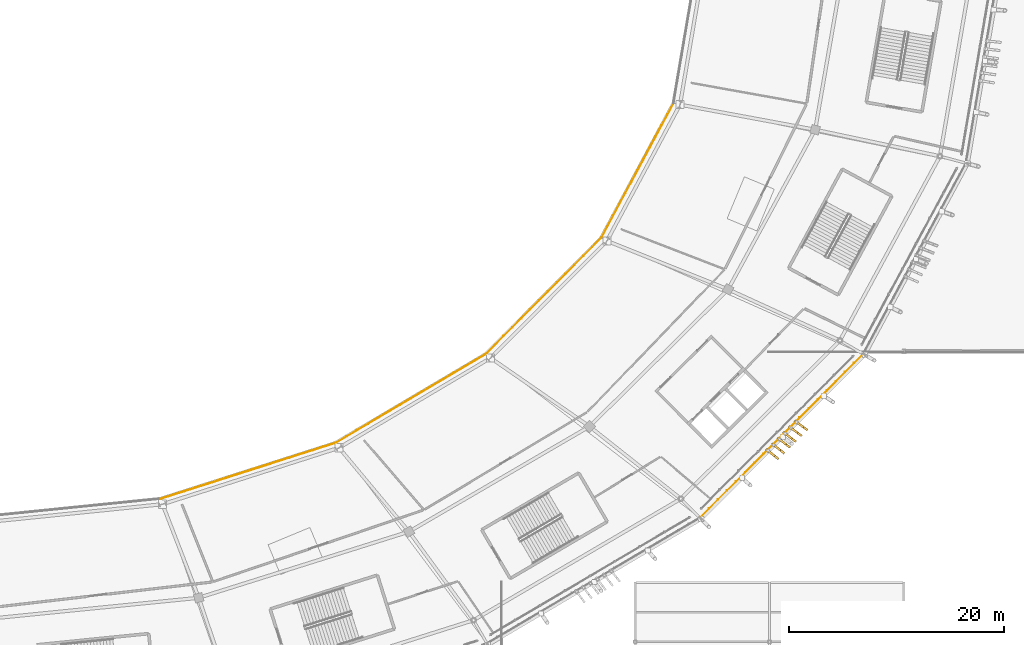
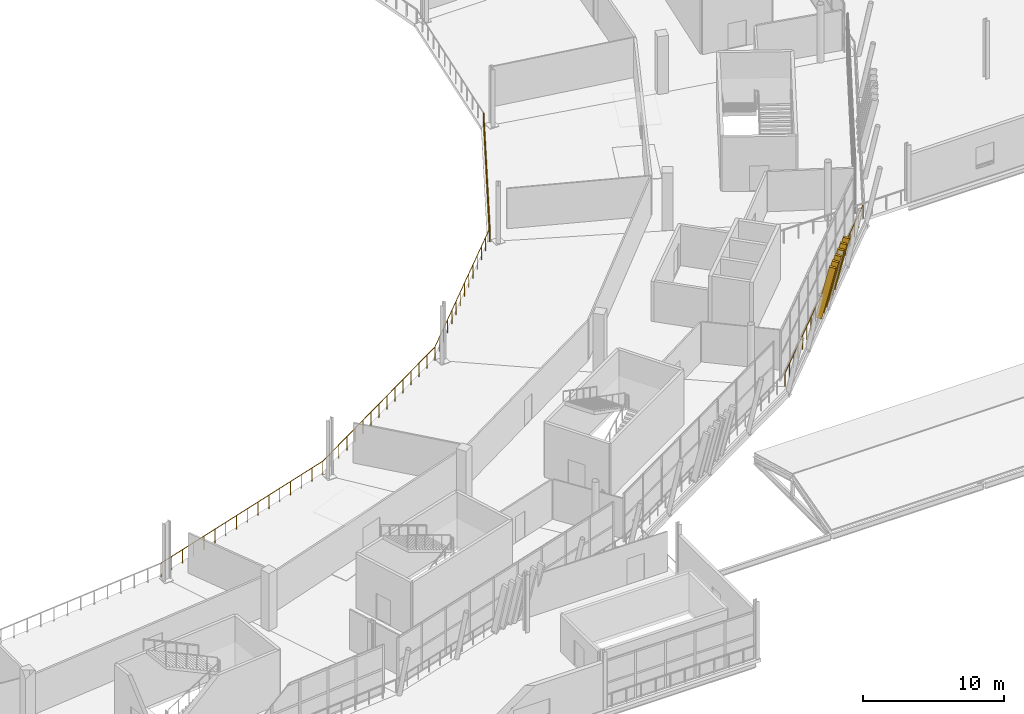
# One storey, part 162 of 179: 6 shading devices, 5 railings.
"""IFC4 building model written with IfcOpenShell, lengths in metres."""

from ifc_helpers import new_model, si_unit, direction, frame, origin, origin_2d, place, context, subcontext, project, spatial, rectangle, extrude, material, material_profile, profile_set, type_object, element, save


model = new_model("IFC4")

# Units and contexts
model_context = context("Model", 3, precision=1e-05, world=origin(), true_north=direction((0.0, 1.0)))
body_context = subcontext(model_context, "Body", "Model", "MODEL_VIEW")
ifc_project = project(units=[si_unit("LENGTHUNIT", "METRE"), si_unit("AREAUNIT", "SQUARE_METRE"), si_unit("VOLUMEUNIT", "CUBIC_METRE"), si_unit("PLANEANGLEUNIT", "RADIAN"), si_unit("MASSUNIT", "GRAM", prefix="KILO")], contexts=[model_context])

# Site, building, storey
site_placement = place(None, origin())
site = spatial("IfcSite", under=ifc_project, at=site_placement, CompositionType="ELEMENT")
building_placement = place(site_placement, origin())
building = spatial("IfcBuilding", under=site, at=building_placement, Name="Zlatoyarsky Gate Stadium", CompositionType="ELEMENT")
storey_placement = place(building_placement, frame((0.0, 0.0, 10.60009765625)))
storey = spatial("IfcBuildingStorey", under=building, at=storey_placement, Name="L02", CompositionType="ELEMENT", Elevation=10.60009765625)

# Railings
ifc_material_1 = material(Name="Powder-coated steel tubular guardrail", Category="steel")
railing_type = type_object("IfcRailingType", Name="CONCOURSE SLAB EDGE GUARDRAIL 1200", PredefinedType="GUARDRAIL", material=ifc_material_1)
railing_1_placement = place(storey_placement, frame((128.439208984375, 29.791259765625, 0.0)))
element("IfcRailing", 1, at=railing_1_placement, inside=storey, type_object=railing_type, Name="L02 inner bowl edge guardrail 19", PredefinedType="GUARDRAIL", context=body_context, shape_type="SweptSolid", body=[
    extrude(rectangle(XDim=0.048095703125, YDim=0.048095703125, at=origin_2d()), frame((0.0, 0.0, 1.17578125), z_axis=(0.952553500174, 0.304371203149, 0.0), x_axis=(-0.304371203149, 0.952553500174, 0.0)), (0.0, 0.0, 1.0), 17.06005859375),
    extrude(rectangle(XDim=0.0419921875, YDim=0.0419921875, at=origin_2d()), origin(), (0.0, 0.0, 1.0), 1.15185546875),
    extrude(rectangle(XDim=0.0419921875, YDim=0.0419921875, at=origin_2d()), frame((1.08349609375, 0.34619140625, 0.0)), (0.0, 0.0, 1.0), 1.15185546875),
    extrude(rectangle(XDim=0.0419921875, YDim=0.0419921875, at=origin_2d()), frame((2.166748046875, 0.6923828125, 0.0)), (0.0, 0.0, 1.0), 1.15185546875),
    extrude(rectangle(XDim=0.0419921875, YDim=0.0419921875, at=origin_2d()), frame((3.250244140625, 1.03857421875, 0.0)), (0.0, 0.0, 1.0), 1.15185546875),
    extrude(rectangle(XDim=0.0419921875, YDim=0.0419921875, at=origin_2d()), frame((4.33349609375, 1.384765625, 0.0)), (0.0, 0.0, 1.0), 1.15185546875),
    extrude(rectangle(XDim=0.0419921875, YDim=0.0419921875, at=origin_2d()), frame((5.4169921875, 1.73095703125, 0.0)), (0.0, 0.0, 1.0), 1.15185546875),
    extrude(rectangle(XDim=0.0419921875, YDim=0.0419921875, at=origin_2d()), frame((6.500244140625, 2.0771484375, 0.0)), (0.0, 0.0, 1.0), 1.15185546875),
    extrude(rectangle(XDim=0.0419921875, YDim=0.0419921875, at=origin_2d()), frame((7.583740234375, 2.42333984375, 0.0)), (0.0, 0.0, 1.0), 1.15185546875),
    extrude(rectangle(XDim=0.0419921875, YDim=0.0419921875, at=origin_2d()), frame((8.6669921875, 2.769287109375, 0.0)), (0.0, 0.0, 1.0), 1.15185546875),
    extrude(rectangle(XDim=0.0419921875, YDim=0.0419921875, at=origin_2d()), frame((9.75048828125, 3.115478515625, 0.0)), (0.0, 0.0, 1.0), 1.15185546875),
    extrude(rectangle(XDim=0.0419921875, YDim=0.0419921875, at=origin_2d()), frame((10.833740234375, 3.461669921875, 0.0)), (0.0, 0.0, 1.0), 1.15185546875),
    extrude(rectangle(XDim=0.0419921875, YDim=0.0419921875, at=origin_2d()), frame((11.917236328125, 3.807861328125, 0.0)), (0.0, 0.0, 1.0), 1.15185546875),
    extrude(rectangle(XDim=0.0419921875, YDim=0.0419921875, at=origin_2d()), frame((13.00048828125, 4.154052734375, 0.0)), (0.0, 0.0, 1.0), 1.15185546875),
    extrude(rectangle(XDim=0.0419921875, YDim=0.0419921875, at=origin_2d()), frame((14.083984375, 4.500244140625, 0.0)), (0.0, 0.0, 1.0), 1.15185546875),
    extrude(rectangle(XDim=0.0419921875, YDim=0.0419921875, at=origin_2d()), frame((15.167236328125, 4.846435546875, 0.0)), (0.0, 0.0, 1.0), 1.15185546875),
    extrude(rectangle(XDim=0.0419921875, YDim=0.0419921875, at=origin_2d()), frame((16.250732421875, 5.192626953125, 0.0)), (0.0, 0.0, 1.0), 1.15185546875),
])
railing_2_placement = place(storey_placement, frame((144.68994140625, 34.98388671875, 0.0)))
element("IfcRailing", 2, at=railing_2_placement, inside=storey, type_object=railing_type, Name="L02 inner bowl edge guardrail 20", PredefinedType="GUARDRAIL", context=body_context, shape_type="SweptSolid", body=[
    extrude(rectangle(XDim=0.048095703125, YDim=0.048095703125, at=origin_2d()), frame((0.0, 0.0, 1.17578125), z_axis=(0.860533047645, 0.509394615118, 0.0), x_axis=(-0.509394615118, 0.860533047645, 0.0)), (0.0, 0.0, 1.0), 16.216796875),
    extrude(rectangle(XDim=0.0419921875, YDim=0.0419921875, at=origin_2d()), origin(), (0.0, 0.0, 1.0), 1.15185546875),
    extrude(rectangle(XDim=0.0419921875, YDim=0.0419921875, at=origin_2d()), frame((0.996826171875, 0.590087890625, 0.0)), (0.0, 0.0, 1.0), 1.15185546875),
    extrude(rectangle(XDim=0.0419921875, YDim=0.0419921875, at=origin_2d()), frame((1.99365234375, 1.18017578125, 0.0)), (0.0, 0.0, 1.0), 1.15185546875),
    extrude(rectangle(XDim=0.0419921875, YDim=0.0419921875, at=origin_2d()), frame((2.990478515625, 1.770263671875, 0.0)), (0.0, 0.0, 1.0), 1.15185546875),
    extrude(rectangle(XDim=0.0419921875, YDim=0.0419921875, at=origin_2d()), frame((3.987060546875, 2.360107421875, 0.0)), (0.0, 0.0, 1.0), 1.15185546875),
    extrude(rectangle(XDim=0.0419921875, YDim=0.0419921875, at=origin_2d()), frame((4.98388671875, 2.9501953125, 0.0)), (0.0, 0.0, 1.0), 1.15185546875),
    extrude(rectangle(XDim=0.0419921875, YDim=0.0419921875, at=origin_2d()), frame((5.980712890625, 3.540283203125, 0.0)), (0.0, 0.0, 1.0), 1.15185546875),
    extrude(rectangle(XDim=0.0419921875, YDim=0.0419921875, at=origin_2d()), frame((6.9775390625, 4.13037109375, 0.0)), (0.0, 0.0, 1.0), 1.15185546875),
    extrude(rectangle(XDim=0.0419921875, YDim=0.0419921875, at=origin_2d()), frame((7.974365234375, 4.720458984375, 0.0)), (0.0, 0.0, 1.0), 1.15185546875),
    extrude(rectangle(XDim=0.0419921875, YDim=0.0419921875, at=origin_2d()), frame((8.97119140625, 5.310546875, 0.0)), (0.0, 0.0, 1.0), 1.15185546875),
    extrude(rectangle(XDim=0.0419921875, YDim=0.0419921875, at=origin_2d()), frame((9.968017578125, 5.900634765625, 0.0)), (0.0, 0.0, 1.0), 1.15185546875),
    extrude(rectangle(XDim=0.0419921875, YDim=0.0419921875, at=origin_2d()), frame((10.964599609375, 6.490478515625, 0.0)), (0.0, 0.0, 1.0), 1.15185546875),
    extrude(rectangle(XDim=0.0419921875, YDim=0.0419921875, at=origin_2d()), frame((11.96142578125, 7.08056640625, 0.0)), (0.0, 0.0, 1.0), 1.15185546875),
    extrude(rectangle(XDim=0.0419921875, YDim=0.0419921875, at=origin_2d()), frame((12.958251953125, 7.670654296875, 0.0)), (0.0, 0.0, 1.0), 1.15185546875),
    extrude(rectangle(XDim=0.0419921875, YDim=0.0419921875, at=origin_2d()), frame((13.955078125, 8.2607421875, 0.0)), (0.0, 0.0, 1.0), 1.15185546875),
])
railing_3_placement = place(storey_placement, frame((158.64501953125, 43.24462890625, 0.0)))
element("IfcRailing", 3, at=railing_3_placement, inside=storey, type_object=railing_type, Name="L02 inner bowl edge guardrail 21", PredefinedType="GUARDRAIL", context=body_context, shape_type="SweptSolid", body=[
    extrude(rectangle(XDim=0.048095703125, YDim=0.048095703125, at=origin_2d()), frame((0.0, 0.0, 1.17578125), z_axis=(0.705206918956, 0.709001552506, 0.0), x_axis=(-0.709001552506, 0.705206918956, 0.0)), (0.0, 0.0, 1.0), 15.183837890625),
    extrude(rectangle(XDim=0.0419921875, YDim=0.0419921875, at=origin_2d()), origin(), (0.0, 0.0, 1.0), 1.15185546875),
    extrude(rectangle(XDim=0.0419921875, YDim=0.0419921875, at=origin_2d()), frame((0.82373046875, 0.828125, 0.0)), (0.0, 0.0, 1.0), 1.15185546875),
    extrude(rectangle(XDim=0.0419921875, YDim=0.0419921875, at=origin_2d()), frame((1.6474609375, 1.65625, 0.0)), (0.0, 0.0, 1.0), 1.15185546875),
    extrude(rectangle(XDim=0.0419921875, YDim=0.0419921875, at=origin_2d()), frame((2.470947265625, 2.484375, 0.0)), (0.0, 0.0, 1.0), 1.15185546875),
    extrude(rectangle(XDim=0.0419921875, YDim=0.0419921875, at=origin_2d()), frame((3.294677734375, 3.3125, 0.0)), (0.0, 0.0, 1.0), 1.15185546875),
    extrude(rectangle(XDim=0.0419921875, YDim=0.0419921875, at=origin_2d()), frame((4.118408203125, 4.140625, 0.0)), (0.0, 0.0, 1.0), 1.15185546875),
    extrude(rectangle(XDim=0.0419921875, YDim=0.0419921875, at=origin_2d()), frame((4.942138671875, 4.96875, 0.0)), (0.0, 0.0, 1.0), 1.15185546875),
    extrude(rectangle(XDim=0.0419921875, YDim=0.0419921875, at=origin_2d()), frame((5.765625, 5.796630859375, 0.0)), (0.0, 0.0, 1.0), 1.15185546875),
    extrude(rectangle(XDim=0.0419921875, YDim=0.0419921875, at=origin_2d()), frame((6.58935546875, 6.624755859375, 0.0)), (0.0, 0.0, 1.0), 1.15185546875),
    extrude(rectangle(XDim=0.0419921875, YDim=0.0419921875, at=origin_2d()), frame((7.4130859375, 7.452880859375, 0.0)), (0.0, 0.0, 1.0), 1.15185546875),
    extrude(rectangle(XDim=0.0419921875, YDim=0.0419921875, at=origin_2d()), frame((8.23681640625, 8.281005859375, 0.0)), (0.0, 0.0, 1.0), 1.15185546875),
    extrude(rectangle(XDim=0.0419921875, YDim=0.0419921875, at=origin_2d()), frame((9.060302734375, 9.109130859375, 0.0)), (0.0, 0.0, 1.0), 1.15185546875),
    extrude(rectangle(XDim=0.0419921875, YDim=0.0419921875, at=origin_2d()), frame((9.884033203125, 9.937255859375, 0.0)), (0.0, 0.0, 1.0), 1.15185546875),
    extrude(rectangle(XDim=0.0419921875, YDim=0.0419921875, at=origin_2d()), frame((10.707763671875, 10.765380859375, 0.0)), (0.0, 0.0, 1.0), 1.15185546875),
])
railing_4_placement = place(storey_placement, frame((169.352783203125, 54.010009765625, 0.0)))
element("IfcRailing", 4, at=railing_4_placement, inside=storey, type_object=railing_type, Name="L02 inner bowl edge guardrail 22", PredefinedType="GUARDRAIL", context=body_context, shape_type="SweptSolid", body=[
    extrude(rectangle(XDim=0.048095703125, YDim=0.048095703125, at=origin_2d()), frame((0.0, 0.0, 1.17578125), z_axis=(0.473048708203, 0.881036276023, 0.0), x_axis=(-0.881036276023, 0.473048708203, 0.0)), (0.0, 0.0, 1.0), 14.2294921875),
    extrude(rectangle(XDim=0.0419921875, YDim=0.0419921875, at=origin_2d()), origin(), (0.0, 0.0, 1.0), 1.15185546875),
    extrude(rectangle(XDim=0.0419921875, YDim=0.0419921875, at=origin_2d()), frame((0.56103515625, 1.044677734375, 0.0)), (0.0, 0.0, 1.0), 1.15185546875),
    extrude(rectangle(XDim=0.0419921875, YDim=0.0419921875, at=origin_2d()), frame((1.121826171875, 2.08935546875, 0.0)), (0.0, 0.0, 1.0), 1.15185546875),
    extrude(rectangle(XDim=0.0419921875, YDim=0.0419921875, at=origin_2d()), frame((1.682861328125, 3.13427734375, 0.0)), (0.0, 0.0, 1.0), 1.15185546875),
    extrude(rectangle(XDim=0.0419921875, YDim=0.0419921875, at=origin_2d()), frame((2.24365234375, 4.178955078125, 0.0)), (0.0, 0.0, 1.0), 1.15185546875),
    extrude(rectangle(XDim=0.0419921875, YDim=0.0419921875, at=origin_2d()), frame((2.8046875, 5.2236328125, 0.0)), (0.0, 0.0, 1.0), 1.15185546875),
    extrude(rectangle(XDim=0.0419921875, YDim=0.0419921875, at=origin_2d()), frame((3.36572265625, 6.268310546875, 0.0)), (0.0, 0.0, 1.0), 1.15185546875),
    extrude(rectangle(XDim=0.0419921875, YDim=0.0419921875, at=origin_2d()), frame((3.926513671875, 7.31298828125, 0.0)), (0.0, 0.0, 1.0), 1.15185546875),
    extrude(rectangle(XDim=0.0419921875, YDim=0.0419921875, at=origin_2d()), frame((4.487548828125, 8.357666015625, 0.0)), (0.0, 0.0, 1.0), 1.15185546875),
    extrude(rectangle(XDim=0.0419921875, YDim=0.0419921875, at=origin_2d()), frame((5.04833984375, 9.40234375, 0.0)), (0.0, 0.0, 1.0), 1.15185546875),
    extrude(rectangle(XDim=0.0419921875, YDim=0.0419921875, at=origin_2d()), frame((5.609375, 10.447265625, 0.0)), (0.0, 0.0, 1.0), 1.15185546875),
    extrude(rectangle(XDim=0.0419921875, YDim=0.0419921875, at=origin_2d()), frame((6.170166015625, 11.491943359375, 0.0)), (0.0, 0.0, 1.0), 1.15185546875),
    extrude(rectangle(XDim=0.0419921875, YDim=0.0419921875, at=origin_2d()), frame((6.731201171875, 12.53662109375, 0.0)), (0.0, 0.0, 1.0), 1.15185546875),
])
railing_5_placement = place(storey_placement, frame((178.52587890625, 28.030517578125, 0.0)))
element("IfcRailing", 5, at=railing_5_placement, inside=storey, type_object=railing_type, Name="L02 outer slab edge guardrail 21", PredefinedType="GUARDRAIL", context=body_context, shape_type="SweptSolid", body=[
    extrude(rectangle(XDim=0.048095703125, YDim=0.048095703125, at=origin_2d()), frame((0.0, 0.0, 1.17578125), z_axis=(0.706049660734, 0.708162323608, 0.0), x_axis=(-0.708162323608, 0.706049660734, 0.0)), (0.0, 0.0, 1.0), 21.494384765625),
    extrude(rectangle(XDim=0.0419921875, YDim=0.0419921875, at=origin_2d()), origin(), (0.0, 0.0, 1.0), 1.15185546875),
    extrude(rectangle(XDim=0.0419921875, YDim=0.0419921875, at=origin_2d()), frame((0.843017578125, 0.845703125, 0.0)), (0.0, 0.0, 1.0), 1.15185546875),
    extrude(rectangle(XDim=0.0419921875, YDim=0.0419921875, at=origin_2d()), frame((1.686279296875, 1.691162109375, 0.0)), (0.0, 0.0, 1.0), 1.15185546875),
    extrude(rectangle(XDim=0.0419921875, YDim=0.0419921875, at=origin_2d()), frame((2.529296875, 2.536865234375, 0.0)), (0.0, 0.0, 1.0), 1.15185546875),
    extrude(rectangle(XDim=0.0419921875, YDim=0.0419921875, at=origin_2d()), frame((3.37255859375, 3.382568359375, 0.0)), (0.0, 0.0, 1.0), 1.15185546875),
    extrude(rectangle(XDim=0.0419921875, YDim=0.0419921875, at=origin_2d()), frame((4.215576171875, 4.228271484375, 0.0)), (0.0, 0.0, 1.0), 1.15185546875),
    extrude(rectangle(XDim=0.0419921875, YDim=0.0419921875, at=origin_2d()), frame((5.05859375, 5.07373046875, 0.0)), (0.0, 0.0, 1.0), 1.15185546875),
    extrude(rectangle(XDim=0.0419921875, YDim=0.0419921875, at=origin_2d()), frame((5.90185546875, 5.91943359375, 0.0)), (0.0, 0.0, 1.0), 1.15185546875),
    extrude(rectangle(XDim=0.0419921875, YDim=0.0419921875, at=origin_2d()), frame((6.744873046875, 6.76513671875, 0.0)), (0.0, 0.0, 1.0), 1.15185546875),
    extrude(rectangle(XDim=0.0419921875, YDim=0.0419921875, at=origin_2d()), frame((7.587890625, 7.61083984375, 0.0)), (0.0, 0.0, 1.0), 1.15185546875),
    extrude(rectangle(XDim=0.0419921875, YDim=0.0419921875, at=origin_2d()), frame((8.43115234375, 8.456298828125, 0.0)), (0.0, 0.0, 1.0), 1.15185546875),
    extrude(rectangle(XDim=0.0419921875, YDim=0.0419921875, at=origin_2d()), frame((9.274169921875, 9.302001953125, 0.0)), (0.0, 0.0, 1.0), 1.15185546875),
    extrude(rectangle(XDim=0.0419921875, YDim=0.0419921875, at=origin_2d()), frame((10.117431640625, 10.147705078125, 0.0)), (0.0, 0.0, 1.0), 1.15185546875),
    extrude(rectangle(XDim=0.0419921875, YDim=0.0419921875, at=origin_2d()), frame((10.96044921875, 10.9931640625, 0.0)), (0.0, 0.0, 1.0), 1.15185546875),
    extrude(rectangle(XDim=0.0419921875, YDim=0.0419921875, at=origin_2d()), frame((11.803466796875, 11.8388671875, 0.0)), (0.0, 0.0, 1.0), 1.15185546875),
    extrude(rectangle(XDim=0.0419921875, YDim=0.0419921875, at=origin_2d()), frame((12.646728515625, 12.6845703125, 0.0)), (0.0, 0.0, 1.0), 1.15185546875),
    extrude(rectangle(XDim=0.0419921875, YDim=0.0419921875, at=origin_2d()), frame((13.48974609375, 13.5302734375, 0.0)), (0.0, 0.0, 1.0), 1.15185546875),
    extrude(rectangle(XDim=0.0419921875, YDim=0.0419921875, at=origin_2d()), frame((14.3330078125, 14.375732421875, 0.0)), (0.0, 0.0, 1.0), 1.15185546875),
    extrude(rectangle(XDim=0.0419921875, YDim=0.0419921875, at=origin_2d()), frame((15.176025390625, 15.221435546875, 0.0)), (0.0, 0.0, 1.0), 1.15185546875),
])

# Shading devices
ifc_material_2 = material(Name="Precast concrete C40/50 stone-toned architectural rib", Category="masonry")
ifc_material_profile = material_profile(ifc_material_2, rectangle(XDim=0.199951171875, YDim=0.47998046875, at=origin_2d()), Name="RIB 200X480")
ifc_profile_set = profile_set([ifc_material_profile], Name="Precast concrete C40/50 stone-toned architectural rib")
shading_device_type = type_object("IfcShadingDeviceType", Name="PRECAST FLUTED GATE LOUVRE BLADE 200X480", PredefinedType="SHUTTER", material=ifc_profile_set)
for number, where, z_axis, x_axis, name in (
    (6, (184.868896484375, 34.2529296875, -0.010009765625), (0.172604930149, -0.138859816034, 0.975154085045), (0.626828302865, 0.779157415884, 0.0), "Leaning bowl louvre fin L02-21-1"),
    (7, (185.398193359375, 34.7841796875, -0.010009765625), (0.173880188722, -0.13726544238, 0.975153258877), (0.619620954857, 0.78490118633, 0.0), "Leaning bowl louvre fin L02-21-2"),
):
    element("IfcShadingDevice", number, at=place(storey_placement, frame(where, z_axis=z_axis, x_axis=x_axis)), inside=storey, type_object=shading_device_type, Name=name, PredefinedType="SHUTTER", context=body_context, shape_type="SweptSolid", body=[
        extrude(rectangle(XDim=0.199951171875, YDim=0.47998046875, at=origin_2d()), origin(), (0.0, 0.0, 1.0), 4.59423828125),
    ])
for number, where, z_axis, x_axis, name in (
    (8, (185.927734375, 35.315185546875, -0.010009765625), (0.175104465299, -0.13561960408, 0.975164472908), (0.612328041974, 0.790603800277, 0.0), "Leaning bowl louvre fin L02-21-3"),
    (9, (186.457275390625, 35.846435546875, -0.010009765625), (0.176326772422, -0.134025352636, 0.975164639524), (0.605131936036, 0.796125203714, 0.0), "Leaning bowl louvre fin L02-21-4"),
    (10, (186.98681640625, 36.377685546875, -0.010009765625), (0.177548363437, -0.132430566203, 0.975160870716), (0.597886593445, 0.801580701725, 0.0), "Leaning bowl louvre fin L02-21-5"),
):
    element("IfcShadingDevice", number, at=place(storey_placement, frame(where, z_axis=z_axis, x_axis=x_axis)), inside=storey, type_object=shading_device_type, Name=name, PredefinedType="SHUTTER", context=body_context, shape_type="SweptSolid", body=[
        extrude(rectangle(XDim=0.199951171875, YDim=0.47998046875, at=origin_2d()), origin(), (0.0, 0.0, 1.0), 4.593994140625),
    ])
shading_device_placement = place(storey_placement, frame((187.51611328125, 36.908935546875, -0.010009765625), z_axis=(0.178821909415, -0.130781788728, 0.97515067987), x_axis=(0.590323267445, 0.807166921964, 0.0)))
element("IfcShadingDevice", 11, at=shading_device_placement, inside=storey, type_object=shading_device_type, Name="Leaning bowl louvre fin L02-21-6", PredefinedType="SHUTTER", context=body_context, shape_type="SweptSolid", body=[
    extrude(rectangle(XDim=0.199951171875, YDim=0.47998046875, at=origin_2d()), origin(), (0.0, 0.0, 1.0), 4.59423828125),
])

save(model, "model.ifc")
